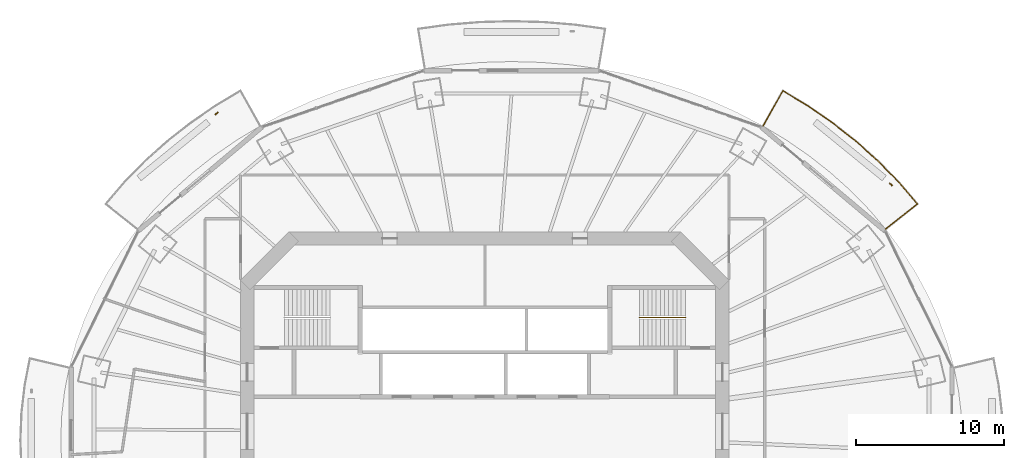
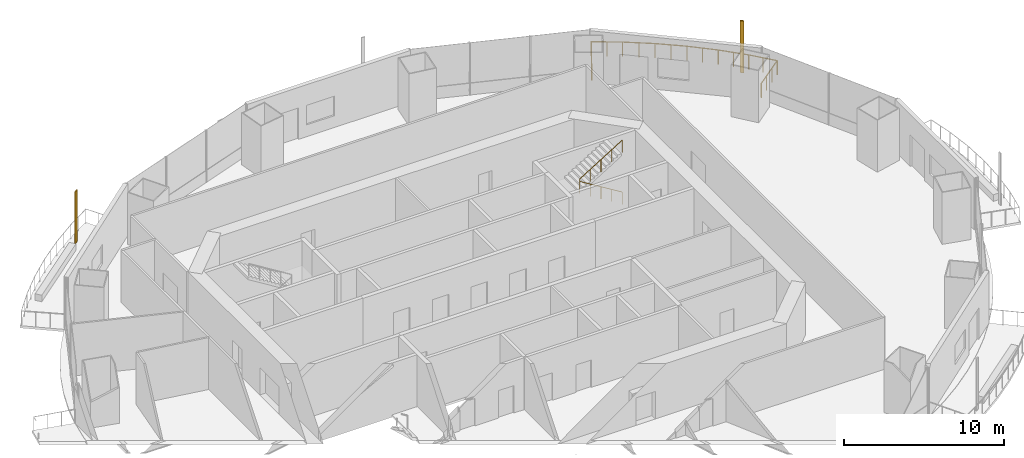
# One storey, part 17 of 19: 2 railings, 2 shading devices.
"""IFC4 building model written with IfcOpenShell, lengths in metres."""

from ifc_helpers import new_model, si_unit, direction, frame, origin, origin_2d, place, context, subcontext, project, spatial, rectangle, circle, extrude, material, material_profile, profile_set, type_object, element, save


model = new_model("IFC4")

# Units and contexts
model_context = context("Model", 3, precision=1e-05, world=origin(), true_north=direction((0.0, 1.0)))
body_context = subcontext(model_context, "Body", "Model", "MODEL_VIEW")
ifc_project = project(units=[si_unit("LENGTHUNIT", "METRE"), si_unit("AREAUNIT", "SQUARE_METRE"), si_unit("VOLUMEUNIT", "CUBIC_METRE"), si_unit("PLANEANGLEUNIT", "RADIAN"), si_unit("MASSUNIT", "GRAM", prefix="KILO")], contexts=[model_context])

# Site, building, storey
site_placement = place(None, origin())
site = spatial("IfcSite", under=ifc_project, at=site_placement, CompositionType="ELEMENT")
building_placement = place(site_placement, origin())
building = spatial("IfcBuilding", under=site, at=building_placement, Name="Marenthal Gate Tower", CompositionType="ELEMENT")
storey_placement = place(building_placement, frame((0.0, 0.0, 244.050048828125)))
storey = spatial("IfcBuildingStorey", under=building, at=storey_placement, Name="L54", CompositionType="ELEMENT", Elevation=244.050048828125)

# Railings
ifc_material_1 = material(Name="Stainless steel", Category="steel")
railing_type_1 = type_object("IfcRailingType", Name="Balcony guard 1100", PredefinedType="GUARDRAIL", material=ifc_material_1)
railing_1_placement = place(storey_placement, frame((18.73974609375, 20.5791015625, 0.0)))
element("IfcRailing", 1, at=railing_1_placement, inside=storey, type_object=railing_type_1, Name="Balcony guard L54 bay 2", PredefinedType="GUARDRAIL", context=body_context, shape_type="SweptSolid", body=[
    extrude(circle(Radius=0.02392578125, at=origin_2d()), frame((0.0, 0.0, 1.076171875), z_axis=(0.489867191078, 0.871672803179, -0.014719351289), x_axis=(-0.871767246537, 0.489920266845, 0.0)), (0.0, 0.0, 1.0), 2.72021484375),
    extrude(circle(Radius=0.02392578125, at=origin_2d()), frame((1.33251953125, 2.37109375, 1.0361328125), z_axis=(0.85600344742, -0.516970113262, 0.0), x_axis=(0.516970113262, 0.85600344742, 0.0)), (0.0, 0.0, 1.0), 1.9716796875),
    extrude(circle(Radius=0.02392578125, at=origin_2d()), frame((3.020263671875, 1.351806640625, 1.0361328125), z_axis=(0.823201188943, -0.567749771046, 0.0), x_axis=(0.567749771046, 0.823201188943, 0.0)), (0.0, 0.0, 1.0), 2.03564453125),
    extrude(circle(Radius=0.02392578125, at=origin_2d()), frame((4.696044921875, 0.196044921875, 1.0361328125), z_axis=(0.785705367394, -0.618600901752, 0.0), x_axis=(0.618600901752, 0.785705367394, 0.0)), (0.0, 0.0, 1.0), 2.01904296875),
    extrude(circle(Radius=0.02392578125, at=origin_2d()), frame((6.282470703125, -1.052978515625, 1.0361328125), z_axis=(0.744239175583, -0.667913205086, 0.0), x_axis=(0.667913205086, 0.744239175583, 0.0)), (0.0, 0.0, 1.0), 2.00244140625),
    extrude(circle(Radius=0.02392578125, at=origin_2d()), frame((7.772705078125, -2.390380859375, 1.0361328125), z_axis=(0.698634154887, -0.715479082591, 0.0), x_axis=(0.715479082591, 0.698634154887, 0.0)), (0.0, 0.0, 1.0), 1.985595703125),
    extrude(circle(Radius=0.02392578125, at=origin_2d()), frame((9.159912109375, -3.81103515625, 1.0361328125), z_axis=(0.649918406787, -0.760003989805, 0.0), x_axis=(0.760003989805, 0.649918406787, 0.0)), (0.0, 0.0, 1.0), 1.889404296875),
    extrude(circle(Radius=0.02392578125, at=origin_2d()), frame((10.387939453125, -5.2470703125, 1.0361328125), z_axis=(-0.782933460254, -0.62193132503, 0.014718143911), x_axis=(0.621998698528, -0.783018275029, 0.0)), (0.0, 0.0, 1.0), 2.720458984375),
    extrude(circle(Radius=0.02099609375, at=origin_2d()), origin(), (0.0, 0.0, 1.0), 1.052001953125),
    extrude(circle(Radius=0.02099609375, at=origin_2d()), frame((0.444091796875, 0.790283203125, -0.013427734375)), (0.0, 0.0, 1.0), 1.052001953125),
    extrude(circle(Radius=0.02099609375, at=origin_2d()), frame((0.888427734375, 1.580810546875, -0.026611328125)), (0.0, 0.0, 1.0), 1.052001953125),
    extrude(circle(Radius=0.02099609375, at=origin_2d()), frame((1.33251953125, 2.37109375, -0.0400390625)), (0.0, 0.0, 1.0), 1.052001953125),
    extrude(circle(Radius=0.02099609375, at=origin_2d()), frame((2.17626953125, 1.861328125, -0.0400390625)), (0.0, 0.0, 1.0), 1.052001953125),
    extrude(circle(Radius=0.02099609375, at=origin_2d()), frame((3.020263671875, 1.351806640625, -0.0400390625)), (0.0, 0.0, 1.0), 1.052001953125),
    extrude(circle(Radius=0.02099609375, at=origin_2d()), frame((3.858154296875, 0.77392578125, -0.0400390625)), (0.0, 0.0, 1.0), 1.052001953125),
    extrude(circle(Radius=0.02099609375, at=origin_2d()), frame((4.696044921875, 0.196044921875, -0.0400390625)), (0.0, 0.0, 1.0), 1.052001953125),
    extrude(circle(Radius=0.02099609375, at=origin_2d()), frame((5.4892578125, -0.428466796875, -0.0400390625)), (0.0, 0.0, 1.0), 1.052001953125),
    extrude(circle(Radius=0.02099609375, at=origin_2d()), frame((6.282470703125, -1.052978515625, -0.0400390625)), (0.0, 0.0, 1.0), 1.052001953125),
    extrude(circle(Radius=0.02099609375, at=origin_2d()), frame((7.027587890625, -1.7216796875, -0.0400390625)), (0.0, 0.0, 1.0), 1.052001953125),
    extrude(circle(Radius=0.02099609375, at=origin_2d()), frame((7.772705078125, -2.390380859375, -0.0400390625)), (0.0, 0.0, 1.0), 1.052001953125),
    extrude(circle(Radius=0.02099609375, at=origin_2d()), frame((8.46630859375, -3.1005859375, -0.0400390625)), (0.0, 0.0, 1.0), 1.052001953125),
    extrude(circle(Radius=0.02099609375, at=origin_2d()), frame((9.159912109375, -3.81103515625, -0.0400390625)), (0.0, 0.0, 1.0), 1.052001953125),
    extrude(circle(Radius=0.02099609375, at=origin_2d()), frame((9.77392578125, -4.529052734375, -0.0400390625)), (0.0, 0.0, 1.0), 1.052001953125),
    extrude(circle(Radius=0.02099609375, at=origin_2d()), frame((10.387939453125, -5.2470703125, -0.0400390625)), (0.0, 0.0, 1.0), 1.052001953125),
    extrude(circle(Radius=0.02099609375, at=origin_2d()), frame((9.677978515625, -5.81103515625, -0.026611328125)), (0.0, 0.0, 1.0), 1.052001953125),
    extrude(circle(Radius=0.02099609375, at=origin_2d()), frame((8.968017578125, -6.375, -0.013427734375)), (0.0, 0.0, 1.0), 1.052001953125),
    extrude(circle(Radius=0.02099609375, at=origin_2d()), frame((8.258056640625, -6.93896484375, 0.0)), (0.0, 0.0, 1.0), 1.052001953125),
])
ifc_material_2 = material(Name="Stainless steel", Category="steel")
railing_type_2 = type_object("IfcRailingType", Name="Stair handrail", PredefinedType="HANDRAIL", material=ifc_material_2)
railing_2_placement = place(storey_placement, frame((13.5, 7.675048828125, 0.1728515625)))
element("IfcRailing", 2, at=railing_2_placement, inside=storey, type_object=railing_type_2, Name="Handrail ST3", PredefinedType="HANDRAIL", context=body_context, shape_type="SweptSolid", body=[
    extrude(circle(Radius=0.0224609375, at=origin_2d()), frame((0.0, 0.0, 0.927490234375), z_axis=(-0.850835241893, 0.0, 0.525432575268), x_axis=(0.0, -1.0, 0.0)), (0.0, 0.0, 1.0), 3.6201171875),
    extrude(circle(Radius=0.0224609375, at=origin_2d()), frame((-3.080078125, 0.0, 2.82958984375), z_axis=(0.0, 0.0, 1.0), x_axis=(1.0, 0.0, 0.0)), (0.0, 0.0, 1.0), 0.1728515625),
    extrude(circle(Radius=0.0224609375, at=origin_2d()), frame((-3.080078125, 0.0, 3.00244140625), z_axis=(0.850835241893, 0.0, 0.525432575268), x_axis=(0.0, 1.0, 0.0)), (0.0, 0.0, 1.0), 3.6201171875),
    extrude(circle(Radius=0.02001953125, at=origin_2d()), origin(), (0.0, 0.0, 1.0), 0.905029296875),
    extrude(circle(Radius=0.02001953125, at=origin_2d()), frame((-0.77001953125, 0.0, 0.4755859375)), (0.0, 0.0, 1.0), 0.905029296875),
    extrude(circle(Radius=0.02001953125, at=origin_2d()), frame((-1.5400390625, 0.0, 0.951171875)), (0.0, 0.0, 1.0), 0.905029296875),
    extrude(circle(Radius=0.02001953125, at=origin_2d()), frame((-2.31005859375, 0.0, 1.426513671875)), (0.0, 0.0, 1.0), 0.905029296875),
    extrude(circle(Radius=0.02001953125, at=origin_2d()), frame((-3.080078125, 0.0, 1.902099609375)), (0.0, 0.0, 1.0), 0.905029296875),
    extrude(circle(Radius=0.02001953125, at=origin_2d()), frame((-3.080078125, 0.0, 2.074951171875)), (0.0, 0.0, 1.0), 0.905029296875),
    extrude(circle(Radius=0.02001953125, at=origin_2d()), frame((-2.31005859375, 0.0, 2.550537109375)), (0.0, 0.0, 1.0), 0.905029296875),
    extrude(circle(Radius=0.02001953125, at=origin_2d()), frame((-1.5400390625, 0.0, 3.02587890625)), (0.0, 0.0, 1.0), 0.905029296875),
    extrude(circle(Radius=0.02001953125, at=origin_2d()), frame((-0.77001953125, 0.0, 3.50146484375)), (0.0, 0.0, 1.0), 0.905029296875),
    extrude(circle(Radius=0.02001953125, at=origin_2d()), frame((0.0, 0.0, 3.97705078125)), (0.0, 0.0, 1.0), 0.905029296875),
])

# Shading devices
ifc_material_3 = material(Name="Terracotta", Category="masonry")
ifc_material_profile = material_profile(ifc_material_3, rectangle(XDim=0.25, YDim=0.080078125, at=origin_2d()), Name="Terracotta baguette 250x80")
ifc_profile_set = profile_set([ifc_material_profile], Name="Terracotta")
shading_device_type = type_object("IfcShadingDeviceType", Name="Terracotta BAGUETTE SCREEN 250x80", PredefinedType="USERDEFINED", material=ifc_profile_set)
for number, where, z_axis, x_axis, name in (
    (3, (27.349853515625, 16.6435546875, -0.0400390625), (0.0, 0.0, 1.0), (-0.765469470301, 0.643472213881, 0.0), "Terracotta BAGUETTE L54 bay 2L"),
    (4, (-18.069091796875, 21.419189453125, -0.0400390625), (0.0, 0.0, 1.0), (-0.765469470301, -0.643472213881, 0.0), "Terracotta BAGUETTE L54 bay 6L"),
):
    element("IfcShadingDevice", number, at=place(storey_placement, frame(where, z_axis=z_axis, x_axis=x_axis)), inside=storey, type_object=shading_device_type, Name=name, ObjectType="BAGUETTE SCREEN", PredefinedType="USERDEFINED", context=body_context, shape_type="SweptSolid", body=[
        extrude(rectangle(XDim=0.25, YDim=0.080078125, at=origin_2d()), origin(), (0.0, 0.0, 1.0), 3.969970703125),
    ])

save(model, "model.ifc")
